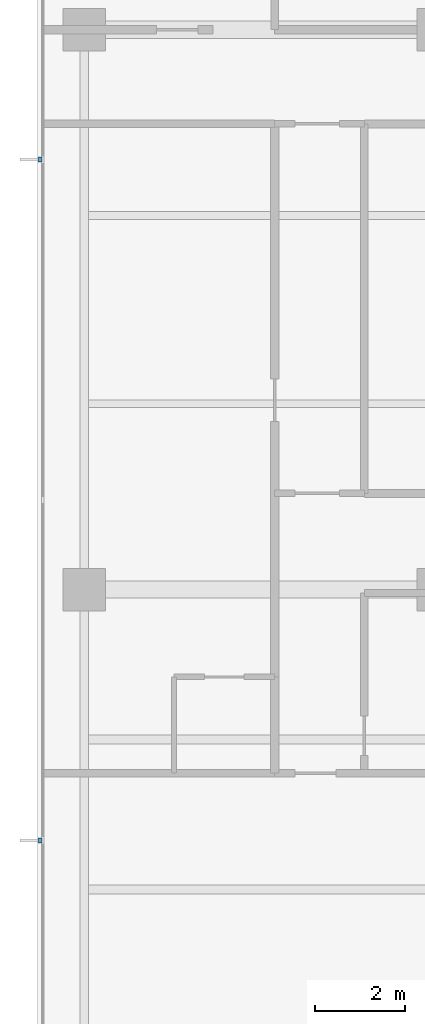
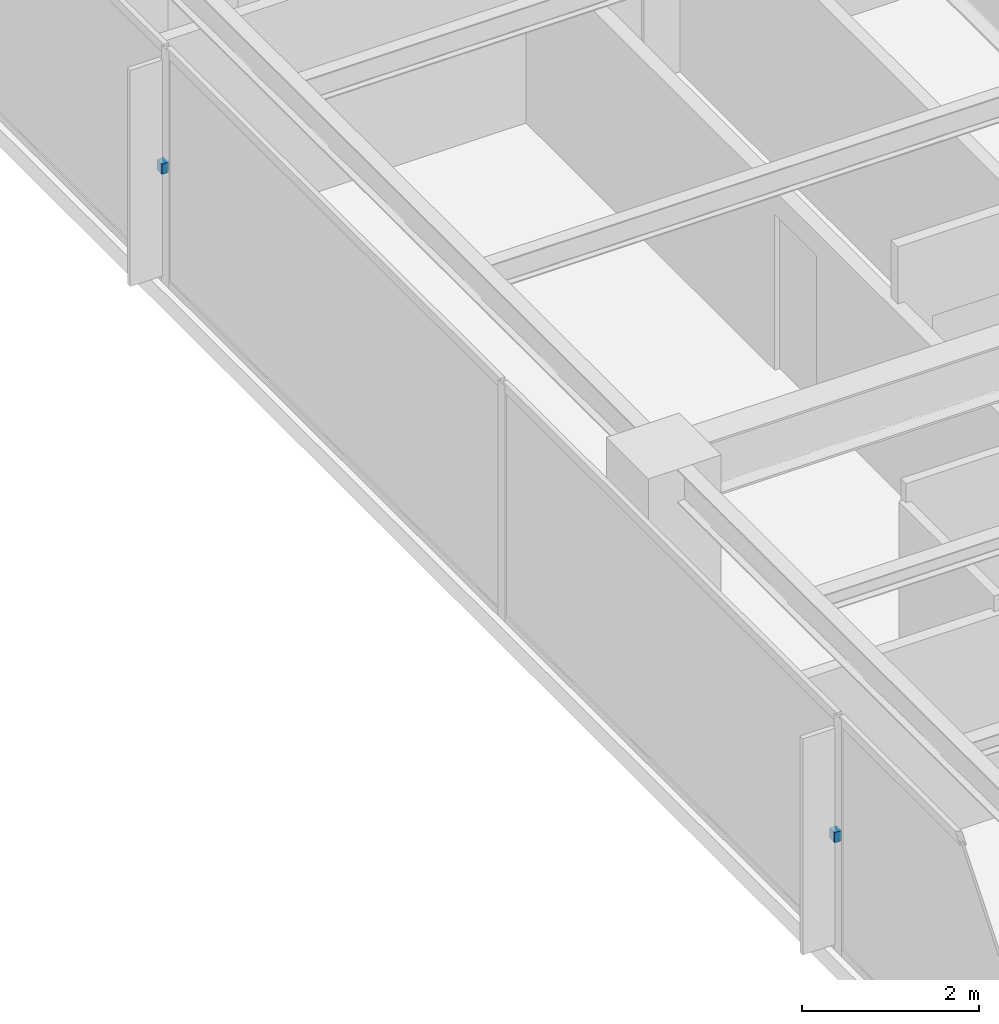
# One storey, part 11 of 14: 2 discrete accessories.
"""IFC4 building model written with IfcOpenShell, lengths in metres."""

from ifc_helpers import new_model, si_unit, direction, frame, origin, place, context, subcontext, project, spatial, polyline, outline, extrude, material, type_object, element, save


model = new_model("IFC4")

# Units and contexts
model_context = context("Model", 3, precision=1e-05, world=origin(), true_north=direction((0.0, 1.0)))
body_context = subcontext(model_context, "Body", "Model", "MODEL_VIEW")
ifc_project = project(units=[si_unit("LENGTHUNIT", "METRE"), si_unit("AREAUNIT", "SQUARE_METRE"), si_unit("VOLUMEUNIT", "CUBIC_METRE"), si_unit("PLANEANGLEUNIT", "RADIAN"), si_unit("MASSUNIT", "GRAM", prefix="KILO")], contexts=[model_context])

# Site, building, storey
site_placement = place(None, origin())
site = spatial("IfcSite", under=ifc_project, at=site_placement, CompositionType="ELEMENT")
building_placement = place(site_placement, origin())
building = spatial("IfcBuilding", under=site, at=building_placement, Name="Qalmaran Belvedere Hotel", CompositionType="ELEMENT")
storey_placement = place(building_placement, frame((0.0, 0.0, 228.39990234375)))
storey = spatial("IfcBuildingStorey", under=building, at=storey_placement, Name="L58", CompositionType="ELEMENT", Elevation=228.39990234375)

# Discrete accessories
ifc_material = material(Name="Stainless Steel 1.4401", Category="steel")
discrete_accessory_type = type_object("IfcDiscreteAccessoryType", Name="BRK-FIN-SS316", PredefinedType="BRACKET", material=ifc_material)
discrete_accessory_1_placement = place(storey_placement, frame((0.0, 0.0, 1.580078125)))
element("IfcDiscreteAccessory", 1, at=discrete_accessory_1_placement, inside=storey, type_object=discrete_accessory_type, Name="L58 Fin Bracket 1", PredefinedType="BRACKET", context=body_context, shape_type="SweptSolid", body=[
    extrude(outline(polyline([(11.455078125, 30.155029296875), (11.362548828125, 30.155029296875), (11.362548828125, 30.044921875), (11.455078125, 30.044921875), (11.455078125, 30.155029296875)])), origin(), (0.0, 0.0, 1.0), 0.14013671875),
])
discrete_accessory_2_placement = place(storey_placement, frame((0.0, 0.0, 1.580078125)))
element("IfcDiscreteAccessory", 2, at=discrete_accessory_2_placement, inside=storey, type_object=discrete_accessory_type, Name="L58 Fin Bracket 3", PredefinedType="BRACKET", context=body_context, shape_type="SweptSolid", body=[
    extrude(outline(polyline([(11.455078125, 14.955078125), (11.362548828125, 14.955078125), (11.362548828125, 14.844970703125), (11.455078125, 14.844970703125), (11.455078125, 14.955078125)])), origin(), (0.0, 0.0, 1.0), 0.14013671875),
])

save(model, "model.ifc")
